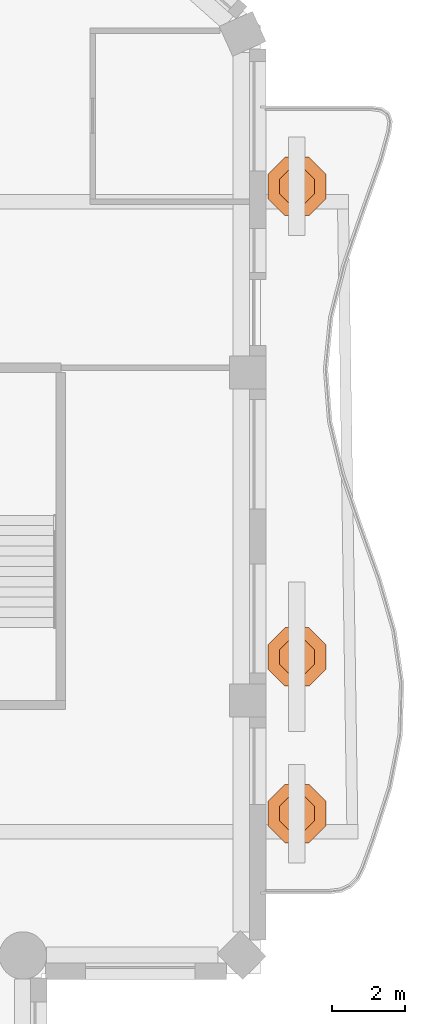
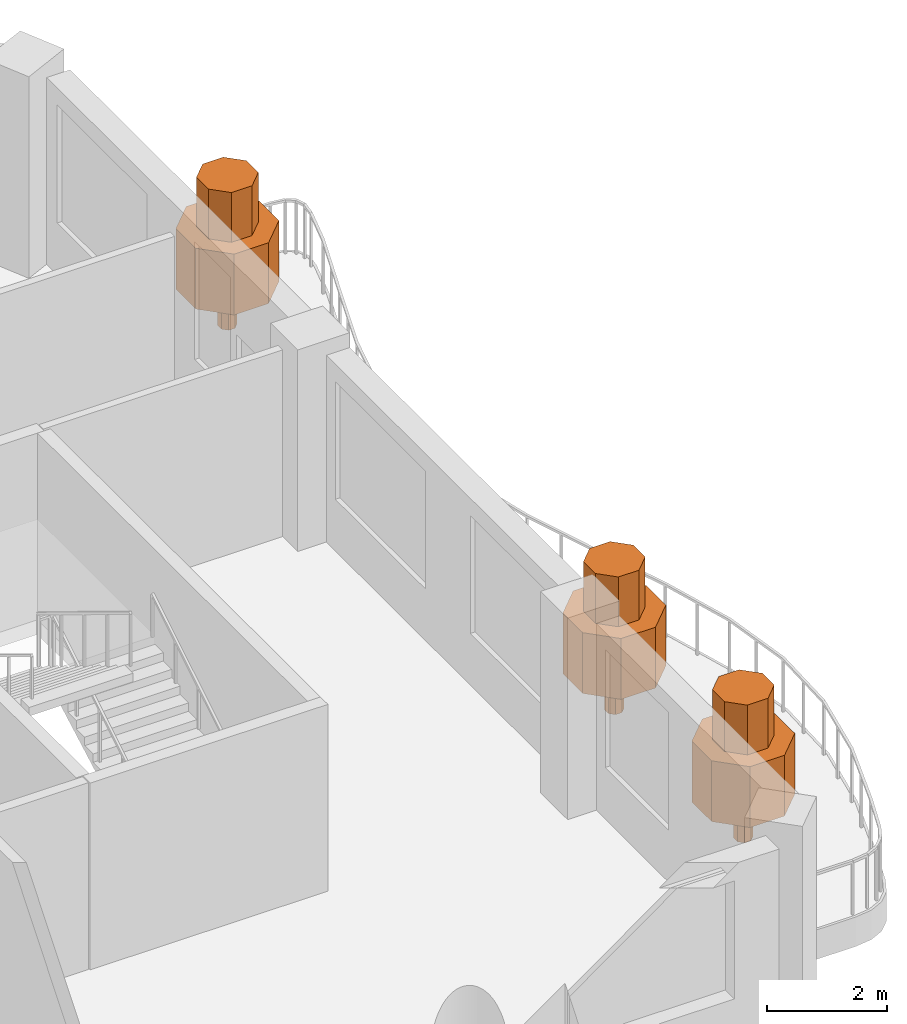
# One storey, part 14 of 14: 3 geographic elements.
"""IFC4 building model written with IfcOpenShell, lengths in metres."""

from ifc_helpers import new_model, si_unit, direction, frame, origin, place, context, subcontext, project, spatial, polyline, outline, extrude, material, type_object, element, save


model = new_model("IFC4")

# Units and contexts
model_context = context("Model", 3, precision=1e-05, world=origin(), true_north=direction((0.0, 1.0)))
body_context = subcontext(model_context, "Body", "Model", "MODEL_VIEW")
ifc_project = project(units=[si_unit("LENGTHUNIT", "METRE"), si_unit("AREAUNIT", "SQUARE_METRE"), si_unit("VOLUMEUNIT", "CUBIC_METRE"), si_unit("PLANEANGLEUNIT", "RADIAN"), si_unit("MASSUNIT", "GRAM", prefix="KILO")], contexts=[model_context])

# Site, building, storey
site_placement = place(None, origin())
site = spatial("IfcSite", under=ifc_project, at=site_placement, CompositionType="ELEMENT")
building_placement = place(site_placement, origin())
building = spatial("IfcBuilding", under=site, at=building_placement, Name="Cypress Arch Tower", CompositionType="ELEMENT")
storey_placement = place(building_placement, frame((0.0, 0.0, 263.89990234375)))
storey = spatial("IfcBuildingStorey", under=building, at=storey_placement, Name="L59", CompositionType="ELEMENT", Elevation=263.89990234375)

# Geographic elements
ifc_material = material(Name="Foliage and planting")
geographic_element_type = type_object("IfcGeographicElementType", Name="Balcony tree TR", PredefinedType="USERDEFINED", material=ifc_material)
for number, where, z_axis, x_axis, name in (
    (1, (25.60009765625, -7.60009765625, 0.60009765625), (0.0, 0.0, 1.0), (1.0, 0.0, 0.0), "Balcony tree L59-C17.1"),
    (2, (25.60009765625, -3.300048828125, 0.60009765625), (0.0, 0.0, 1.0), (1.0, 0.0, 0.0), "Balcony tree L59-C17.2"),
    (3, (25.60009765625, 9.60009765625, 0.60009765625), (0.0, 0.0, 1.0), (1.0, 0.0, 0.0), "Balcony tree L59-C17.3"),
):
    element("IfcGeographicElement", number, at=place(storey_placement, frame(where, z_axis=z_axis, x_axis=x_axis)), inside=storey, type_object=geographic_element_type, Name=name, ObjectType="TREE", PredefinedType="USERDEFINED", context=body_context, shape_type="SweptSolid", body=[
        extrude(outline(polyline([(0.14990234375, 0.06201171875), (0.06201171875, 0.14990234375), (-0.06201171875, 0.14990234375), (-0.14990234375, 0.06201171875), (-0.14990234375, -0.06201171875), (-0.06201171875, -0.14990234375), (0.06201171875, -0.14990234375), (0.14990234375, -0.06201171875), (0.14990234375, 0.06201171875)])), origin(), (0.0, 0.0, 1.0), 0.89990234375),
        extrude(outline(polyline([(0.800048828125, 0.331298828125), (0.331298828125, 0.800048828125), (-0.331298828125, 0.800048828125), (-0.800048828125, 0.331298828125), (-0.800048828125, -0.331298828125), (-0.331298828125, -0.800048828125), (0.331298828125, -0.800048828125), (0.800048828125, -0.331298828125), (0.800048828125, 0.331298828125)])), frame((0.0, 0.0, 0.800048828125)), (0.0, 0.0, 1.0), 1.237548828125),
        extrude(outline(polyline([(0.47998046875, 0.19873046875), (0.19873046875, 0.47998046875), (-0.19873046875, 0.47998046875), (-0.47998046875, 0.19873046875), (-0.47998046875, -0.19873046875), (-0.19873046875, -0.47998046875), (0.19873046875, -0.47998046875), (0.47998046875, -0.19873046875), (0.47998046875, 0.19873046875)])), frame((0.0, 0.0, 2.03759765625)), (0.0, 0.0, 1.0), 1.012451171875),
    ])

save(model, "model.ifc")
